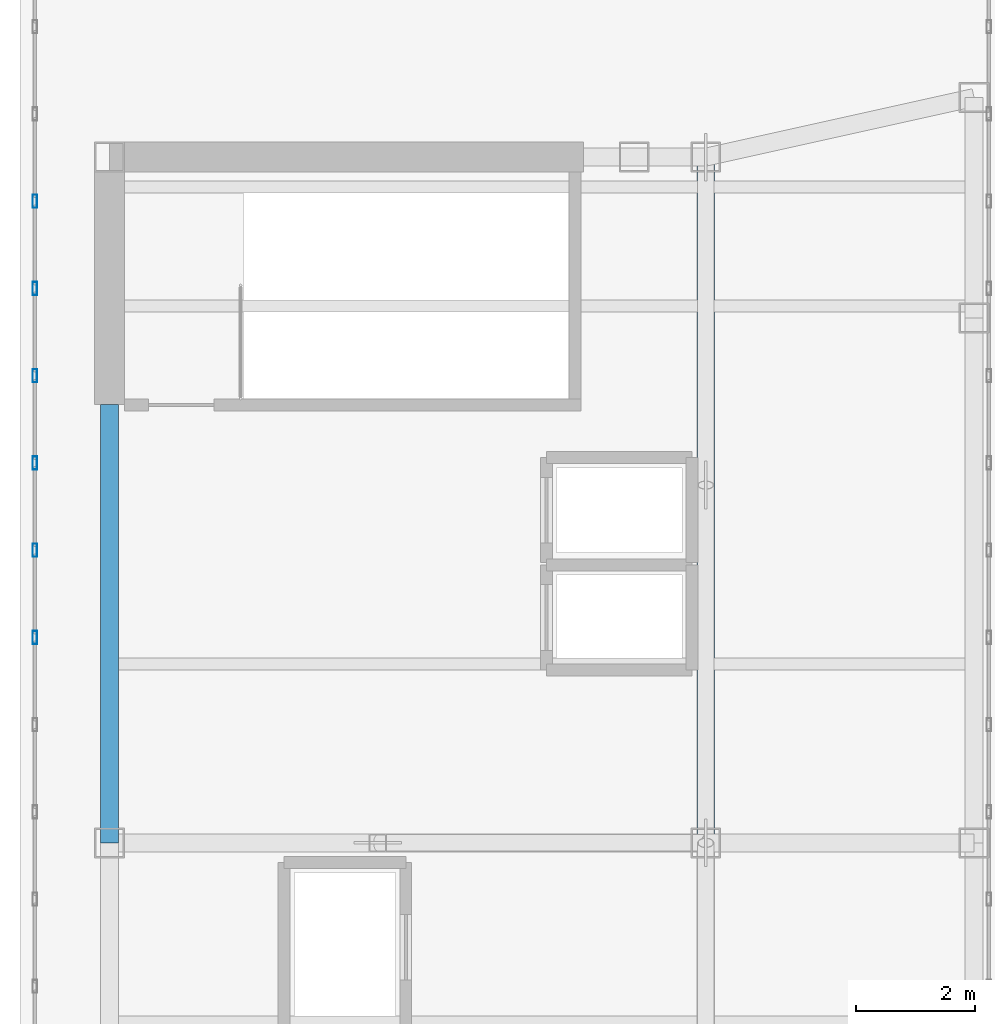
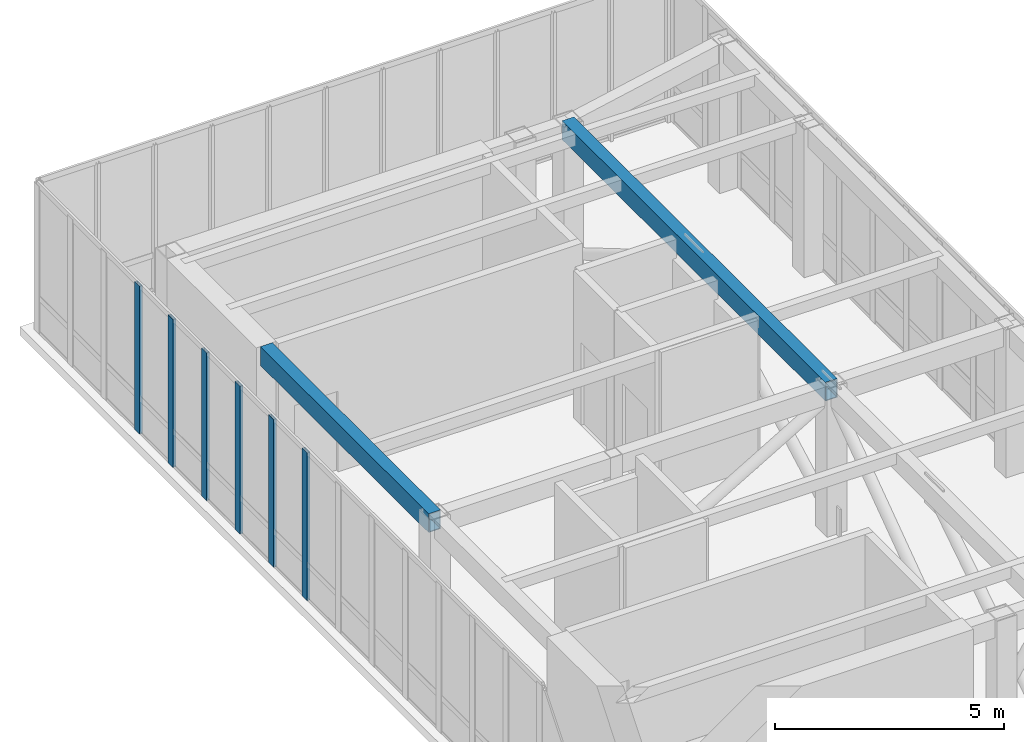
# One storey, part 7 of 13: 6 members, 2 beams, 1 element without a shape of its own.
"""IFC4 building model written with IfcOpenShell, lengths in metres."""

from ifc_helpers import new_model, si_unit, direction, frame, origin, origin_2d, place, context, subcontext, project, spatial, hollow_rectangle, extrude, source, transform, mapped, material, layer, layer_set, material_profile, profile_set, type_object, element, aggregate, save


model = new_model("IFC4")

# Units and contexts
model_context = context("Model", 3, precision=1e-05, world=origin(), true_north=direction((0.0, 1.0)))
body_context = subcontext(model_context, "Body", "Model", "MODEL_VIEW")
ifc_project = project(units=[si_unit("LENGTHUNIT", "METRE"), si_unit("AREAUNIT", "SQUARE_METRE"), si_unit("VOLUMEUNIT", "CUBIC_METRE"), si_unit("PLANEANGLEUNIT", "RADIAN"), si_unit("MASSUNIT", "GRAM", prefix="KILO")], contexts=[model_context])

# Site, building, storey
site_placement = place(None, origin())
site = spatial("IfcSite", under=ifc_project, at=site_placement, CompositionType="ELEMENT")
building_placement = place(site_placement, origin())
building = spatial("IfcBuilding", under=site, at=building_placement, Name="Kharzan Plaza Tower", CompositionType="ELEMENT")
storey_placement = place(building_placement, frame((0.0, 0.0, 298.199951171875)))
storey = spatial("IfcBuildingStorey", under=building, at=storey_placement, Name="L80-CROWN", CompositionType="ELEMENT", Elevation=298.199951171875)

# Beams
ifc_material_1 = material(Name="Steel S355", Category="steel")
ifc_material_profile_1 = material_profile(ifc_material_1, hollow_rectangle(XDim=0.300048828125, YDim=0.5, WallThickness=0.02001953125, at=origin_2d()), Name="RHS500x300x20")
ifc_profile_set_1 = profile_set([ifc_material_profile_1], Name="Steel S355")
beam_type = type_object("IfcBeamType", Name="BM-CRN500", PredefinedType="BEAM", material=ifc_profile_set_1)
shared_shape_1 = source(origin(), body_context, "Body", "SweptSolid", [
    extrude(hollow_rectangle(XDim=0.300048828125, YDim=0.5, WallThickness=0.02001953125, at=origin_2d()), origin(), (0.0, 0.0, 1.0), 11.5),
])
beam_1_placement = place(storey_placement, frame((14.5, 18.0, 3.68994140625), z_axis=(0.0, 1.0, 0.0), x_axis=(-1.0, 0.0, 0.0)))
element("IfcBeam", 1, at=beam_1_placement, inside=storey, type_object=beam_type, Name="L80-CROWN CROWN FRAME Lantern Ring Beam CRB-M2", PredefinedType="BEAM", context=body_context, shape_type="MappedRepresentation", body=[
    mapped(shared_shape_1, transform((0.0, 0.0, 0.0), x_axis=(1.0, 0.0, 0.0), y_axis=(0.0, 1.0, 0.0), z_axis=(0.0, 0.0, 1.0))),
])
shared_shape_2 = source(origin(), body_context, "Body", "SweptSolid", [
    extrude(hollow_rectangle(XDim=0.300048828125, YDim=0.5, WallThickness=0.02001953125, at=origin_2d()), origin(), (0.0, 0.0, 1.0), 7.35009765625),
])
beam_2_placement = place(storey_placement, frame((4.5, 18.0, 3.68994140625), z_axis=(0.0, 1.0, 0.0), x_axis=(-1.0, 0.0, 0.0)))
element("IfcBeam", 2, at=beam_2_placement, inside=storey, type_object=beam_type, Name="L80-CROWN CROWN FRAME Lantern Ring Beam CRB-W2", PredefinedType="BEAM", context=body_context, shape_type="MappedRepresentation", body=[
    mapped(shared_shape_2, transform((0.0, 0.0, 0.0), x_axis=(1.0, 0.0, 0.0), y_axis=(0.0, 1.0, 0.0), z_axis=(0.0, 0.0, 1.0))),
])

# Curtain wall, members
ifc_material_2 = material(Name="Unitised Bronze-Anodized Aluminium and Low-E Glass", Category="aluminium")
ifc_layer = layer(ifc_material_2, 0.199951171875)
ifc_layer_set = layer_set([ifc_layer], Name="Unitised Bronze-Anodized Aluminium and Low-E Glass")
curtain_wall_type = type_object("IfcCurtainWallType", Name="CW-LANTERN-6", PredefinedType="NOTDEFINED", material=ifc_layer_set)
curtain_wall_placement = place(storey_placement, origin())
curtain_wall = element("IfcCurtainWall", 3, at=curtain_wall_placement, inside=storey, type_object=curtain_wall_type, Name="L80-CROWN Lantern Crown Illuminated Curtain Wall 4", PredefinedType="NOTDEFINED")
ifc_material_3 = material(Name="Anodized Bronze Aluminium", Category="aluminium")
ifc_material_profile_2 = material_profile(ifc_material_3, hollow_rectangle(XDim=0.074951171875, YDim=0.219970703125, WallThickness=0.00390625, at=origin_2d()), Name="ALU-M220x75x4")
ifc_profile_set_2 = profile_set([ifc_material_profile_2], Name="Anodized Bronze Aluminium")
member_type = type_object("IfcMemberType", Name="MEM-CW-MUL200", PredefinedType="MULLION", material=ifc_profile_set_2)
shared_shape_3 = source(origin(), body_context, "Body", "SweptSolid", [
    extrude(hollow_rectangle(XDim=0.074951171875, YDim=0.219970703125, WallThickness=0.00390625, at=origin_2d()), origin(), (0.0, 0.0, 1.0), 3.93994140625),
])
member_1_placement = place(storey_placement, frame((3.25, 28.760498046875, 0.0), z_axis=(0.0, 0.0, 1.0), x_axis=(1.0, 0.0, 0.0)))
member_1 = element("IfcMember", 4, at=member_1_placement, type_object=member_type, Name="L80-CROWN Curtain-Wall Mullion 03", PredefinedType="MULLION", context=body_context, shape_type="MappedRepresentation", body=[
    mapped(shared_shape_3, transform((0.0, 0.0, 0.0), x_axis=(1.0, 0.0, 0.0), y_axis=(0.0, 1.0, 0.0), z_axis=(0.0, 0.0, 1.0))),
])
member_2_placement = place(storey_placement, frame((3.25, 27.29736328125, 0.0), z_axis=(0.0, 0.0, 1.0), x_axis=(1.0, 0.0, 0.0)))
member_2 = element("IfcMember", 5, at=member_2_placement, type_object=member_type, Name="L80-CROWN Curtain-Wall Mullion 04", PredefinedType="MULLION", context=body_context, shape_type="MappedRepresentation", body=[
    mapped(shared_shape_3, transform((0.0, 0.0, 0.0), x_axis=(1.0, 0.0, 0.0), y_axis=(0.0, 1.0, 0.0), z_axis=(0.0, 0.0, 1.0))),
])
member_3_placement = place(storey_placement, frame((3.25, 25.834228515625, 0.0), z_axis=(0.0, 0.0, 1.0), x_axis=(1.0, 0.0, 0.0)))
member_3 = element("IfcMember", 6, at=member_3_placement, type_object=member_type, Name="L80-CROWN Curtain-Wall Mullion 05", PredefinedType="MULLION", context=body_context, shape_type="MappedRepresentation", body=[
    mapped(shared_shape_3, transform((0.0, 0.0, 0.0), x_axis=(1.0, 0.0, 0.0), y_axis=(0.0, 1.0, 0.0), z_axis=(0.0, 0.0, 1.0))),
])
member_4_placement = place(storey_placement, frame((3.25, 24.37109375, 0.0), z_axis=(0.0, 0.0, 1.0), x_axis=(1.0, 0.0, 0.0)))
member_4 = element("IfcMember", 7, at=member_4_placement, type_object=member_type, Name="L80-CROWN Curtain-Wall Mullion 06", PredefinedType="MULLION", context=body_context, shape_type="MappedRepresentation", body=[
    mapped(shared_shape_3, transform((0.0, 0.0, 0.0), x_axis=(1.0, 0.0, 0.0), y_axis=(0.0, 1.0, 0.0), z_axis=(0.0, 0.0, 1.0))),
])
member_5_placement = place(storey_placement, frame((3.25, 22.907958984375, 0.0), z_axis=(0.0, 0.0, 1.0), x_axis=(1.0, 0.0, 0.0)))
member_5 = element("IfcMember", 8, at=member_5_placement, type_object=member_type, Name="L80-CROWN Curtain-Wall Mullion 07", PredefinedType="MULLION", context=body_context, shape_type="MappedRepresentation", body=[
    mapped(shared_shape_3, transform((0.0, 0.0, 0.0), x_axis=(1.0, 0.0, 0.0), y_axis=(0.0, 1.0, 0.0), z_axis=(0.0, 0.0, 1.0))),
])
member_6_placement = place(storey_placement, frame((3.25, 21.444580078125, 0.0), z_axis=(0.0, 0.0, 1.0), x_axis=(1.0, 0.0, 0.0)))
member_6 = element("IfcMember", 9, at=member_6_placement, type_object=member_type, Name="L80-CROWN Curtain-Wall Mullion 08", PredefinedType="MULLION", context=body_context, shape_type="MappedRepresentation", body=[
    mapped(shared_shape_3, transform((0.0, 0.0, 0.0), x_axis=(1.0, 0.0, 0.0), y_axis=(0.0, 1.0, 0.0), z_axis=(0.0, 0.0, 1.0))),
])
aggregate(curtain_wall, [member_1, member_2, member_3, member_4, member_5, member_6])

save(model, "model.ifc")
